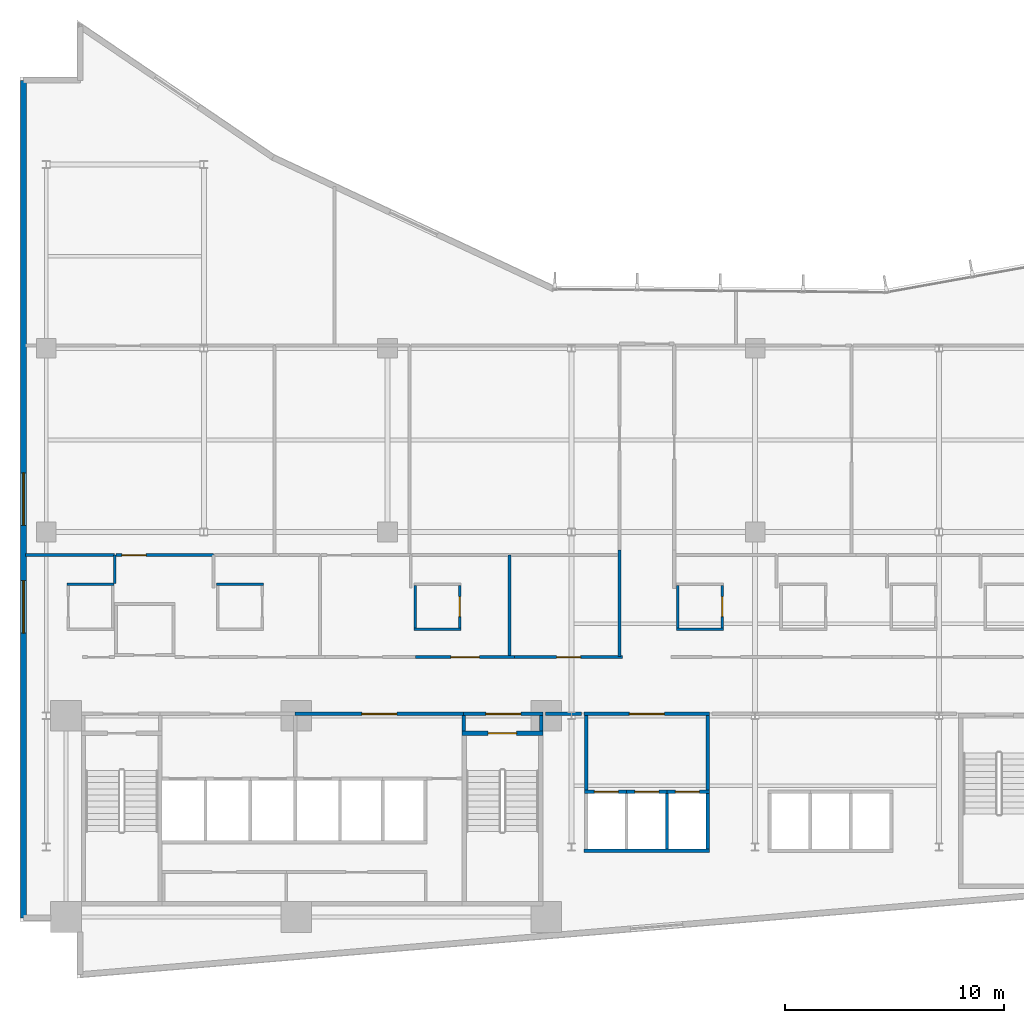
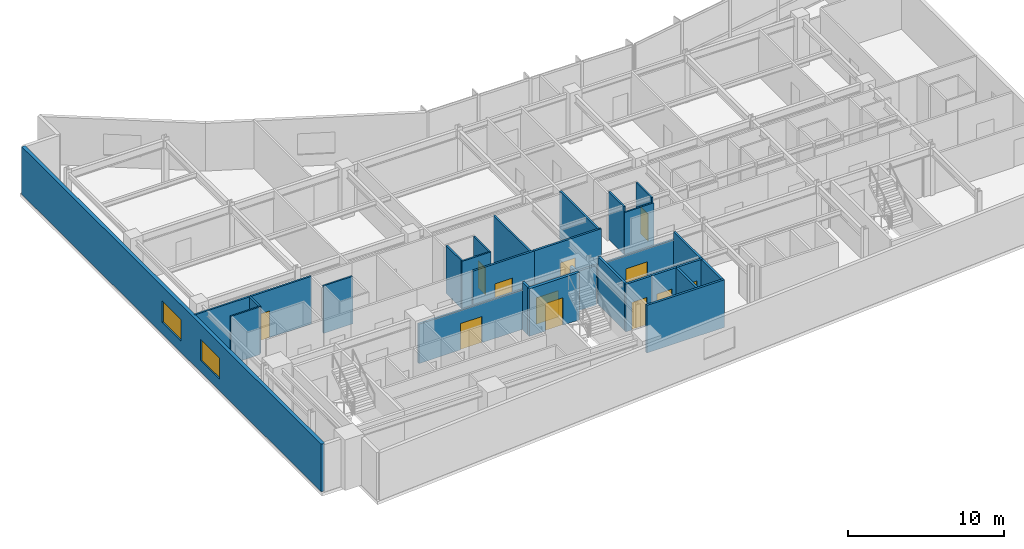
# One storey, part 11 of 19: 31 walls, 12 doors, 2 windows, 14 openings.
"""IFC4 building model written with IfcOpenShell, lengths in metres."""

from ifc_helpers import new_model, si_unit, direction, frame, frame_2d, origin, place, context, subcontext, project, spatial, rectangle, extrude, material, layer, layer_set, type_object, element, fill, save


model = new_model("IFC4")

# Units and contexts
model_context = context("Model", 3, precision=1e-05, world=origin(), true_north=direction((0.0, 1.0)))
body_context = subcontext(model_context, "Body", "Model", "MODEL_VIEW")
ifc_project = project(units=[si_unit("LENGTHUNIT", "METRE"), si_unit("AREAUNIT", "SQUARE_METRE"), si_unit("VOLUMEUNIT", "CUBIC_METRE"), si_unit("PLANEANGLEUNIT", "RADIAN"), si_unit("MASSUNIT", "GRAM", prefix="KILO")], contexts=[model_context])

# Site, building, storey
site_placement = place(None, origin())
site = spatial("IfcSite", under=ifc_project, at=site_placement, CompositionType="ELEMENT")
building_placement = place(site_placement, origin())
building = spatial("IfcBuilding", under=site, at=building_placement, Name="Varnakote Quay Hospital", CompositionType="ELEMENT")
storey_placement = place(building_placement, frame((0.0, 0.0, 50.14990234375)))
storey = spatial("IfcBuildingStorey", under=building, at=storey_placement, Name="L12", CompositionType="ELEMENT", Elevation=50.14990234375)

# Wall, opening, door
ifc_material_1 = material(Name="Fire-rated acoustic gypsum stud wall", Category="gypsum")
ifc_layer_1 = layer(ifc_material_1, 0.159912109375)
ifc_layer_set_1 = layer_set([ifc_layer_1], Name="Fire-rated acoustic gypsum stud wall")
wall_type_1 = type_object("IfcWallType", Name="WL-COMP-160", PredefinedType="PARTITIONING", material=ifc_layer_set_1)
wall_1_placement = place(storey_placement, frame((12.580078125, 12.080078125, 0.0), z_axis=(0.0, 0.0, 1.0), x_axis=(1.0, 0.0, 0.0)))
wall_1 = element("IfcWall", 1, at=wall_1_placement, inside=storey, type_object=wall_type_1, Name="L12 Clinical Bed Lift Lobby Wall", PredefinedType="PARTITIONING", context=body_context, shape_type="SweptSolid", body=[
    extrude(rectangle(XDim=7.699951171875, YDim=0.159912109375, at=frame_2d((3.85009765625, 0.0))), origin(), (0.0, 0.0, 1.0), 3.072998046875),
])
opening_1_placement = place(wall_1_placement, frame((3.050048828125, 0.0, 0.0)))
opening_1 = element("IfcOpeningElement", 2, at=opening_1_placement, cuts=wall_1, Name="Opening D-SVL-L12", PredefinedType="OPENING", context=body_context, shape_type="SweptSolid", body=[
    extrude(rectangle(XDim=1.60009765625, YDim=2.050048828125, at=frame_2d((0.800048828125, 1.02490234375))), frame((0.0, 0.08984375, 0.0), z_axis=(0.0, -1.0, 0.0), x_axis=(1.0, 0.0, 0.0)), (0.0, 0.0, 1.0), 0.179931640625),
])
ifc_material_2 = material(Name="Fire-rated double smoke lobby door")
door_type_1 = type_object("IfcDoorType", Name="DR-LOBBY-FD60S-1600x2150", OperationType="NOTDEFINED", PredefinedType="DOOR", material=ifc_material_2)
door_1_placement = place(opening_1_placement, origin())
door_1 = element("IfcDoor", 3, at=door_1_placement, inside=storey, type_object=door_type_1, Name="L12 Clinical Core Smoke Vestibule Door", OperationType="DOUBLE_DOOR_SINGLE_SWING", OverallHeight=2.050048828125, OverallWidth=1.60009765625, PredefinedType="DOOR", context=body_context, shape_type="SweptSolid", body=[
    extrude(rectangle(XDim=1.60009765625, YDim=2.050048828125, at=frame_2d((0.800048828125, 1.02490234375))), frame((0.0, 0.02490234375, 0.0), z_axis=(0.0, -1.0, 0.0), x_axis=(1.0, 0.0, 0.0)), (0.0, 0.0, 1.0), 0.050048828125),
])
fill(opening_1, door_1)

# Wall
wall_2_placement = place(storey_placement, frame((20.280029296875, 11.300048828125, 0.0), z_axis=(0.0, 0.0, 1.0), x_axis=(0.0, 1.0, 0.0)))
element("IfcWall", 4, at=wall_2_placement, inside=storey, type_object=wall_type_1, Name="L12 East Stair Vestibule Divider Wall", PredefinedType="PARTITIONING", context=body_context, shape_type="SweptSolid", body=[
    extrude(rectangle(XDim=0.699951171875, YDim=0.159912109375, at=frame_2d((0.35009765625, 0.0))), origin(), (0.0, 0.0, 1.0), 3.710205078125),
])

# Wall, opening, door
wall_3_placement = place(storey_placement, frame((20.280029296875, 12.080078125, 0.0), z_axis=(0.0, 0.0, 1.0), x_axis=(1.0, 0.0, 0.0)))
wall_3 = element("IfcWall", 5, at=wall_3_placement, inside=storey, type_object=wall_type_1, Name="L12 East Stair Vestibule Smoke Wall", PredefinedType="PARTITIONING", context=body_context, shape_type="SweptSolid", body=[
    extrude(rectangle(XDim=3.619873046875, YDim=0.159912109375, at=frame_2d((1.81005859375, 0.0))), origin(), (0.0, 0.0, 1.0), 3.072998046875),
])
opening_2_placement = place(wall_3_placement, frame((1.010009765625, 0.0, 0.0)))
opening_2 = element("IfcOpeningElement", 6, at=opening_2_placement, cuts=wall_3, Name="Opening D-ST2L-L12", PredefinedType="OPENING", context=body_context, shape_type="SweptSolid", body=[
    extrude(rectangle(XDim=1.60009765625, YDim=2.050048828125, at=frame_2d((0.800048828125, 1.02490234375))), frame((0.0, 0.08984375, 0.0), z_axis=(0.0, -1.0, 0.0), x_axis=(1.0, 0.0, 0.0)), (0.0, 0.0, 1.0), 0.179931640625),
])
door_2_placement = place(opening_2_placement, origin())
door_2 = element("IfcDoor", 7, at=door_2_placement, inside=storey, type_object=door_type_1, Name="L12 East Stair Vestibule Smoke Door", OperationType="DOUBLE_DOOR_SINGLE_SWING", OverallHeight=2.050048828125, OverallWidth=1.60009765625, PredefinedType="DOOR", context=body_context, shape_type="SweptSolid", body=[
    extrude(rectangle(XDim=1.60009765625, YDim=2.050048828125, at=frame_2d((0.800048828125, 1.02490234375))), frame((0.0, 0.02490234375, 0.0), z_axis=(0.0, -1.0, 0.0), x_axis=(1.0, 0.0, 0.0)), (0.0, 0.0, 1.0), 0.050048828125),
])
fill(opening_2, door_2)

# Walls
wall_4_placement = place(storey_placement, frame((23.820068359375, 11.300048828125, 0.0), z_axis=(0.0, 0.0, 1.0), x_axis=(0.0, 1.0, 0.0)))
element("IfcWall", 8, at=wall_4_placement, inside=storey, type_object=wall_type_1, Name="L12 East Stair Vestibule East Wall", PredefinedType="PARTITIONING", context=body_context, shape_type="SweptSolid", body=[
    extrude(rectangle(XDim=0.699951171875, YDim=0.159912109375, at=frame_2d((0.35009765625, 0.0))), origin(), (0.0, 0.0, 1.0), 3.710205078125),
])
for number, where, z_axis, x_axis, name in (
    (9, (25.8701171875, 8.610107421875, 0.0), (0.0, 0.0, 1.0), (0.0, 1.0, 0.0), "L12 Low-Rise Lift Lobby West Wall"),
    (10, (31.429931640625, 8.610107421875, 0.0), (0.0, 0.0, 1.0), (0.0, 1.0, 0.0), "L12 Low-Rise Lift Lobby East Wall"),
):
    element("IfcWall", number, at=place(storey_placement, frame(where, z_axis=z_axis, x_axis=x_axis)), inside=storey, type_object=wall_type_1, Name=name, PredefinedType="PARTITIONING", context=body_context, shape_type="SweptSolid", body=[
        extrude(rectangle(XDim=3.389892578125, YDim=0.159912109375, at=frame_2d((1.69482421875, 0.0))), origin(), (0.0, 0.0, 1.0), 3.710205078125),
    ])

# Wall, opening, door
wall_5_placement = place(storey_placement, frame((25.7900390625, 12.080078125, 0.0), z_axis=(0.0, 0.0, 1.0), x_axis=(1.0, 0.0, 0.0)))
wall_5 = element("IfcWall", 11, at=wall_5_placement, inside=storey, type_object=wall_type_1, Name="L12 Low-Rise Lift Lobby North Wall", PredefinedType="PARTITIONING", context=body_context, shape_type="SweptSolid", body=[
    extrude(rectangle(XDim=5.719970703125, YDim=0.159912109375, at=frame_2d((2.85986328125, 0.0))), origin(), (0.0, 0.0, 1.0), 3.072998046875),
])
opening_3_placement = place(wall_5_placement, frame((2.06005859375, 0.0, 0.0)))
opening_3 = element("IfcOpeningElement", 12, at=opening_3_placement, cuts=wall_5, Name="Opening D-PLL-L12", PredefinedType="OPENING", context=body_context, shape_type="SweptSolid", body=[
    extrude(rectangle(XDim=1.60009765625, YDim=2.050048828125, at=frame_2d((0.800048828125, 1.02490234375))), frame((0.0, 0.08984375, 0.0), z_axis=(0.0, -1.0, 0.0), x_axis=(1.0, 0.0, 0.0)), (0.0, 0.0, 1.0), 0.179931640625),
])
door_3_placement = place(opening_3_placement, origin())
door_3 = element("IfcDoor", 13, at=door_3_placement, inside=storey, type_object=door_type_1, Name="L12 Low-Rise Passenger Concourse Vestibule Door", OperationType="DOUBLE_DOOR_SINGLE_SWING", OverallHeight=2.050048828125, OverallWidth=1.60009765625, PredefinedType="DOOR", context=body_context, shape_type="SweptSolid", body=[
    extrude(rectangle(XDim=1.60009765625, YDim=2.050048828125, at=frame_2d((0.800048828125, 1.02490234375))), frame((0.0, 0.02490234375, 0.0), z_axis=(0.0, -1.0, 0.0), x_axis=(1.0, 0.0, 0.0)), (0.0, 0.0, 1.0), 0.050048828125),
])
fill(opening_3, door_3)

# Walls
wall_6_placement = place(storey_placement, frame((24.02001953125, 12.080078125, 0.0), z_axis=(0.0, 0.0, 1.0), x_axis=(1.0, 0.0, 0.0)))
element("IfcWall", 14, at=wall_6_placement, inside=storey, type_object=wall_type_1, Name="L12 Corridor South Gap Wall", PredefinedType="PARTITIONING", context=body_context, shape_type="SweptSolid", body=[
    extrude(rectangle(XDim=1.64990234375, YDim=0.159912109375, at=frame_2d((0.824951171875, 0.0))), origin(), (0.0, 0.0, 1.0), 3.072998046875),
])
ifc_material_3 = material(Name="Moisture-resistant bathroom partition", Category="gypsum")
ifc_layer_2 = layer(ifc_material_3, 0.114990234375)
ifc_layer_set_2 = layer_set([ifc_layer_2], Name="Moisture-resistant bathroom partition")
wall_type_2 = type_object("IfcWallType", Name="WL-ENS-115", PredefinedType="PARTITIONING", material=ifc_layer_set_2)
for number, where, z_axis, x_axis, name in (
    (15, (2.155029296875, 18.017578125, 0.0), (0.0, 0.0, 1.0), (1.0, 0.0, 0.0), "L12 Inpatient En-Suite Bathroom 01 N Wall"),
    (16, (8.985107421875, 18.017578125, 0.0), (0.0, 0.0, 1.0), (1.0, 0.0, 0.0), "L12 Inpatient En-Suite Bathroom 02 N Wall"),
):
    element("IfcWall", number, at=place(storey_placement, frame(where, z_axis=z_axis, x_axis=x_axis)), inside=storey, type_object=wall_type_2, Name=name, PredefinedType="PARTITIONING", context=body_context, shape_type="SweptSolid", body=[
        extrude(rectangle(XDim=2.14990234375, YDim=0.114990234375, at=frame_2d((1.074951171875, 0.0))), origin(), (0.0, 0.0, 1.0), 3.710205078125),
    ])
wall_7_placement = place(storey_placement, frame((18.0048828125, 15.952392578125, 0.0), z_axis=(0.0, 0.0, 1.0), x_axis=(1.0, 0.0, 0.0)))
element("IfcWall", 17, at=wall_7_placement, inside=storey, type_object=wall_type_2, Name="L12 Inpatient En-Suite Bathroom 03 S Wall", PredefinedType="PARTITIONING", context=body_context, shape_type="SweptSolid", body=[
    extrude(rectangle(XDim=2.150146484375, YDim=0.114990234375, at=frame_2d((1.0751953125, 0.0))), origin(), (0.0, 0.0, 1.0), 3.710205078125),
])
wall_8_placement = place(storey_placement, frame((18.0625, 16.010009765625, 0.0), z_axis=(0.0, 0.0, 1.0), x_axis=(0.0, 1.0, 0.0)))
element("IfcWall", 18, at=wall_8_placement, inside=storey, type_object=wall_type_2, Name="L12 Inpatient En-Suite Bathroom 03 W Wall", PredefinedType="PARTITIONING", context=body_context, shape_type="SweptSolid", body=[
    extrude(rectangle(XDim=1.949951171875, YDim=0.114990234375, at=frame_2d((0.97509765625, 0.0))), origin(), (0.0, 0.0, 1.0), 3.710205078125),
])

# Wall, opening, door
wall_9_placement = place(storey_placement, frame((20.097412109375, 16.010009765625, 0.0), z_axis=(0.0, 0.0, 1.0), x_axis=(0.0, 1.0, 0.0)))
wall_9 = element("IfcWall", 19, at=wall_9_placement, inside=storey, type_object=wall_type_2, Name="L12 Inpatient En-Suite Bathroom 03 E Wall", PredefinedType="PARTITIONING", context=body_context, shape_type="SweptSolid", body=[
    extrude(rectangle(XDim=1.949951171875, YDim=0.114990234375, at=frame_2d((0.97509765625, 0.0))), origin(), (0.0, 0.0, 1.0), 3.710205078125),
])
opening_4_placement = place(wall_9_placement, frame((0.514892578125, 0.0, 0.0)))
opening_4 = element("IfcOpeningElement", 20, at=opening_4_placement, cuts=wall_9, Name="Opening D-L12-ENS03", PredefinedType="OPENING", context=body_context, shape_type="SweptSolid", body=[
    extrude(rectangle(XDim=0.919921875, YDim=2.10009765625, at=frame_2d((0.4599609375, 1.050048828125))), frame((0.0, 0.0673828125, 0.0), z_axis=(0.0, -1.0, 0.0), x_axis=(1.0, 0.0, 0.0)), (0.0, 0.0, 1.0), 0.135009765625),
])
ifc_material_4 = material(Name="Moisture-sealed en-suite bathroom door")
door_type_2 = type_object("IfcDoorType", Name="DR-ENS-920x2100", OperationType="NOTDEFINED", PredefinedType="DOOR", material=ifc_material_4)
door_4_placement = place(opening_4_placement, origin())
door_4 = element("IfcDoor", 21, at=door_4_placement, inside=storey, type_object=door_type_2, Name="L12 Inpatient En-Suite Bathroom 03 Door", OperationType="SINGLE_SWING_LEFT", OverallHeight=2.10009765625, OverallWidth=0.919921875, PredefinedType="DOOR", context=body_context, shape_type="SweptSolid", body=[
    extrude(rectangle(XDim=0.919921875, YDim=2.10009765625, at=frame_2d((0.4599609375, 1.050048828125))), frame((0.0, 0.02490234375, 0.0), z_axis=(0.0, -1.0, 0.0), x_axis=(1.0, 0.0, 0.0)), (0.0, 0.0, 1.0), 0.050048828125),
])
fill(opening_4, door_4)

# Walls
wall_10_placement = place(storey_placement, frame((30.0048828125, 15.952392578125, 0.0), z_axis=(0.0, 0.0, 1.0), x_axis=(1.0, 0.0, 0.0)))
element("IfcWall", 22, at=wall_10_placement, inside=storey, type_object=wall_type_2, Name="L12 Inpatient En-Suite Bathroom 04 S Wall", PredefinedType="PARTITIONING", context=body_context, shape_type="SweptSolid", body=[
    extrude(rectangle(XDim=2.150146484375, YDim=0.114990234375, at=frame_2d((1.0751953125, 0.0))), origin(), (0.0, 0.0, 1.0), 3.3291015625),
])
wall_11_placement = place(storey_placement, frame((30.0625, 16.010009765625, 0.0), z_axis=(0.0, 0.0, 1.0), x_axis=(0.0, 1.0, 0.0)))
element("IfcWall", 23, at=wall_11_placement, inside=storey, type_object=wall_type_2, Name="L12 Inpatient En-Suite Bathroom 04 W Wall", PredefinedType="PARTITIONING", context=body_context, shape_type="SweptSolid", body=[
    extrude(rectangle(XDim=1.949951171875, YDim=0.114990234375, at=frame_2d((0.97509765625, 0.0))), origin(), (0.0, 0.0, 1.0), 3.710205078125),
])

# Wall, opening, door
wall_12_placement = place(storey_placement, frame((32.097412109375, 16.010009765625, 0.0), z_axis=(0.0, 0.0, 1.0), x_axis=(0.0, 1.0, 0.0)))
wall_12 = element("IfcWall", 24, at=wall_12_placement, inside=storey, type_object=wall_type_2, Name="L12 Inpatient En-Suite Bathroom 04 E Wall", PredefinedType="PARTITIONING", context=body_context, shape_type="SweptSolid", body=[
    extrude(rectangle(XDim=1.949951171875, YDim=0.114990234375, at=frame_2d((0.97509765625, 0.0))), origin(), (0.0, 0.0, 1.0), 3.710205078125),
])
opening_5_placement = place(wall_12_placement, frame((0.514892578125, 0.0, 0.0)))
opening_5 = element("IfcOpeningElement", 25, at=opening_5_placement, cuts=wall_12, Name="Opening D-L12-ENS04", PredefinedType="OPENING", context=body_context, shape_type="SweptSolid", body=[
    extrude(rectangle(XDim=0.919921875, YDim=2.10009765625, at=frame_2d((0.4599609375, 1.050048828125))), frame((0.0, 0.0673828125, 0.0), z_axis=(0.0, -1.0, 0.0), x_axis=(1.0, 0.0, 0.0)), (0.0, 0.0, 1.0), 0.135009765625),
])
door_5_placement = place(opening_5_placement, origin())
door_5 = element("IfcDoor", 26, at=door_5_placement, inside=storey, type_object=door_type_2, Name="L12 Inpatient En-Suite Bathroom 04 Door", OperationType="SINGLE_SWING_RIGHT", OverallHeight=2.10009765625, OverallWidth=0.919921875, PredefinedType="DOOR", context=body_context, shape_type="SweptSolid", body=[
    extrude(rectangle(XDim=0.919921875, YDim=2.10009765625, at=frame_2d((0.4599609375, 1.050048828125))), frame((0.0, 0.02490234375, 0.0), z_axis=(0.0, -1.0, 0.0), x_axis=(1.0, 0.0, 0.0)), (0.0, 0.0, 1.0), 0.050048828125),
])
fill(opening_5, door_5)

# Wall, openings, windows
ifc_material_5 = material(Name="Precast concrete N50 (f'c 50 MPa)", Category="concrete")
ifc_layer_3 = layer(ifc_material_5, 0.260009765625)
ifc_layer_set_3 = layer_set([ifc_layer_3], Name="Precast concrete N50 (f'c 50 MPa)")
wall_type_3 = type_object("IfcWallType", Name="WL-EXT-BRICK-260", PredefinedType="STANDARD", material=ifc_layer_set_3)
wall_13_placement = place(storey_placement, frame((0.159912109375, 41.0400390625, 0.0), z_axis=(0.0, 0.0, 1.0), x_axis=(0.0, -1.0, 0.0)))
wall_13 = element("IfcWall", 27, at=wall_13_placement, inside=storey, type_object=wall_type_3, Name="L12 Brick-Faced Precast Exterior Wall", PredefinedType="STANDARD", context=body_context, shape_type="SweptSolid", body=[
    extrude(rectangle(XDim=38.280029296875, YDim=0.260009765625, at=frame_2d((19.14013671875, 0.0))), origin(), (0.0, 0.0, 1.0), 3.710205078125),
])
opening_6_placement = place(wall_13_placement, frame((17.93994140625, 0.0, 0.89990234375)))
opening_6 = element("IfcOpeningElement", 28, at=opening_6_placement, cuts=wall_13, Name="Opening WN-0065", PredefinedType="OPENING", context=body_context, shape_type="SweptSolid", body=[
    extrude(rectangle(XDim=2.39990234375, YDim=1.64990234375, at=frame_2d((1.199951171875, 0.824951171875))), frame((0.0, 0.139892578125, 0.0), z_axis=(0.0, -1.0, 0.0), x_axis=(1.0, 0.0, 0.0)), (0.0, 0.0, 1.0), 0.280029296875),
])
opening_7_placement = place(wall_13_placement, frame((22.868896484375, 0.0, 0.89990234375)))
opening_7 = element("IfcOpeningElement", 29, at=opening_7_placement, cuts=wall_13, Name="Opening WN-0306", PredefinedType="OPENING", context=body_context, shape_type="SweptSolid", body=[
    extrude(rectangle(XDim=2.39990234375, YDim=1.64990234375, at=frame_2d((1.199951171875, 0.824951171875))), frame((0.0, 0.139892578125, 0.0), z_axis=(0.0, -1.0, 0.0), x_axis=(1.0, 0.0, 0.0)), (0.0, 0.0, 1.0), 0.280029296875),
])
ifc_material_6 = material(Name="Double-glazed low-E solar glass", Category="glass")
window_type = type_object("IfcWindowType", Name="WIN-CLIN-2400x1650", PartitioningType="SINGLE_PANEL", PredefinedType="WINDOW", material=ifc_material_6)
window_1_placement = place(opening_6_placement, origin())
window_1 = element("IfcWindow", 30, at=window_1_placement, inside=storey, type_object=window_type, Name="L12 Solar-Control Clinical Window", OverallHeight=1.64990234375, OverallWidth=2.39990234375, PartitioningType="SINGLE_PANEL", PredefinedType="WINDOW", context=body_context, shape_type="SweptSolid", body=[
    extrude(rectangle(XDim=2.39990234375, YDim=1.64990234375, at=frame_2d((1.199951171875, 0.824951171875))), frame((0.0, 0.030029296875, 0.0), z_axis=(0.0, -1.0, 0.0), x_axis=(1.0, 0.0, 0.0)), (0.0, 0.0, 1.0), 0.06005859375),
])
fill(opening_6, window_1)
window_2_placement = place(opening_7_placement, origin())
window_2 = element("IfcWindow", 31, at=window_2_placement, inside=storey, type_object=window_type, Name="L12 Solar-Control Clinical Window", OverallHeight=1.64990234375, OverallWidth=2.39990234375, PartitioningType="SINGLE_PANEL", PredefinedType="WINDOW", context=body_context, shape_type="SweptSolid", body=[
    extrude(rectangle(XDim=2.39990234375, YDim=1.64990234375, at=frame_2d((1.199951171875, 0.824951171875))), frame((0.0, 0.030029296875, 0.0), z_axis=(0.0, -1.0, 0.0), x_axis=(1.0, 0.0, 0.0)), (0.0, 0.0, 1.0), 0.06005859375),
])
fill(opening_7, window_2)

# Walls
ifc_material_7 = material(Name="Concrete N50 (f'c 50 MPa)", Category="concrete")
ifc_layer_4 = layer(ifc_material_7, 0.14990234375)
ifc_layer_set_4 = layer_set([ifc_layer_4], Name="Concrete N50 (f'c 50 MPa)")
wall_type_4 = type_object("IfcWallType", Name="WL-SHAFT-N50-150", PredefinedType="SHEAR", material=ifc_layer_set_4)
wall_14_placement = place(storey_placement, frame((29.574951171875, 5.89990234375, 0.0), z_axis=(0.0, 0.0, 1.0), x_axis=(0.0, 1.0, 0.0)))
element("IfcWall", 32, at=wall_14_placement, inside=storey, type_object=wall_type_4, Name="L12 LF-PL2 Hoistway Divider Wall", PredefinedType="SHEAR", context=body_context, shape_type="SweptSolid", body=[
    extrude(rectangle(XDim=2.550048828125, YDim=0.14990234375, at=frame_2d((1.27490234375, 0.0))), origin(), (0.0, 0.0, 1.0), 3.710205078125),
])
ifc_material_8 = material(Name="Concrete N50 (f'c 50 MPa)", Category="concrete")
ifc_layer_5 = layer(ifc_material_8, 0.159912109375)
ifc_layer_set_5 = layer_set([ifc_layer_5], Name="Concrete N50 (f'c 50 MPa)")
wall_type_5 = type_object("IfcWallType", Name="WL-SHAFT-N50-160", PredefinedType="SHEAR", material=ifc_layer_set_5)
wall_15_placement = place(storey_placement, frame((25.7900390625, 5.820068359375, 0.0), z_axis=(0.0, 0.0, 1.0), x_axis=(1.0, 0.0, 0.0)))
element("IfcWall", 33, at=wall_15_placement, inside=storey, type_object=wall_type_5, Name="L12 LOW Lift Bank Back Shear Wall", PredefinedType="SHEAR", context=body_context, shape_type="SweptSolid", body=[
    extrude(rectangle(XDim=5.719970703125, YDim=0.159912109375, at=frame_2d((2.85986328125, 0.0))), origin(), (0.0, 0.0, 1.0), 3.710205078125),
])
wall_16_placement = place(storey_placement, frame((31.429931640625, 5.89990234375, 0.0), z_axis=(0.0, 0.0, 1.0), x_axis=(0.0, 1.0, 0.0)))
element("IfcWall", 34, at=wall_16_placement, inside=storey, type_object=wall_type_5, Name="L12 LOW Lift Bank East Shear Wall", PredefinedType="SHEAR", context=body_context, shape_type="SweptSolid", body=[
    extrude(rectangle(XDim=2.550048828125, YDim=0.159912109375, at=frame_2d((1.27490234375, 0.0))), origin(), (0.0, 0.0, 1.0), 3.710205078125),
])

# Wall, opening, door
wall_17_placement = place(storey_placement, frame((25.7900390625, 8.530029296875, 0.0), z_axis=(0.0, 0.0, 1.0), x_axis=(1.0, 0.0, 0.0)))
wall_17 = element("IfcWall", 35, at=wall_17_placement, inside=storey, type_object=wall_type_5, Name="L12 LF-PL1 Hoistway Front Wall", PredefinedType="SHEAR", context=body_context, shape_type="SweptSolid", body=[
    extrude(rectangle(XDim=1.93505859375, YDim=0.159912109375, at=frame_2d((0.967529296875, 0.0))), origin(), (0.0, 0.0, 1.0), 3.710205078125),
])
opening_8_placement = place(wall_17_placement, frame((0.4599609375, 0.0, 0.0)))
opening_8 = element("IfcOpeningElement", 36, at=opening_8_placement, cuts=wall_17, Name="Opening LD-PL1-L12", PredefinedType="OPENING", context=body_context, shape_type="SweptSolid", body=[
    extrude(rectangle(XDim=1.10009765625, YDim=2.14990234375, at=frame_2d((0.550048828125, 1.074951171875))), frame((0.0, 0.08984375, 0.0), z_axis=(0.0, -1.0, 0.0), x_axis=(1.0, 0.0, 0.0)), (0.0, 0.0, 1.0), 0.179931640625),
])
ifc_material_9 = material(Name="Brushed bronze lift landing sliding door")
door_type_3 = type_object("IfcDoorType", Name="DR-LIFT-LD-1100x2150", OperationType="NOTDEFINED", PredefinedType="DOOR", material=ifc_material_9)
door_6_placement = place(opening_8_placement, origin())
door_6 = element("IfcDoor", 37, at=door_6_placement, inside=storey, type_object=door_type_3, Name="L12 LF-PL1 Lift Landing Sliding Door", OperationType="SLIDING_TO_LEFT", OverallHeight=2.14990234375, OverallWidth=1.10009765625, PredefinedType="DOOR", context=body_context, shape_type="SweptSolid", body=[
    extrude(rectangle(XDim=1.10009765625, YDim=2.14990234375, at=frame_2d((0.550048828125, 1.074951171875))), frame((0.0, 0.02490234375, 0.0), z_axis=(0.0, -1.0, 0.0), x_axis=(1.0, 0.0, 0.0)), (0.0, 0.0, 1.0), 0.050048828125),
])
fill(opening_8, door_6)

wall_18_placement = place(storey_placement, frame((27.72509765625, 8.530029296875, 0.0), z_axis=(0.0, 0.0, 1.0), x_axis=(1.0, 0.0, 0.0)))
wall_18 = element("IfcWall", 38, at=wall_18_placement, inside=storey, type_object=wall_type_5, Name="L12 LF-PL2 Hoistway Front Wall", PredefinedType="SHEAR", context=body_context, shape_type="SweptSolid", body=[
    extrude(rectangle(XDim=1.849853515625, YDim=0.159912109375, at=frame_2d((0.9248046875, 0.0))), origin(), (0.0, 0.0, 1.0), 3.710205078125),
])
opening_9_placement = place(wall_18_placement, frame((0.375, 0.0, 0.0)))
opening_9 = element("IfcOpeningElement", 39, at=opening_9_placement, cuts=wall_18, Name="Opening LD-PL2-L12", PredefinedType="OPENING", context=body_context, shape_type="SweptSolid", body=[
    extrude(rectangle(XDim=1.10009765625, YDim=2.14990234375, at=frame_2d((0.550048828125, 1.074951171875))), frame((0.0, 0.08984375, 0.0), z_axis=(0.0, -1.0, 0.0), x_axis=(1.0, 0.0, 0.0)), (0.0, 0.0, 1.0), 0.179931640625),
])
door_7_placement = place(opening_9_placement, origin())
door_7 = element("IfcDoor", 40, at=door_7_placement, inside=storey, type_object=door_type_3, Name="L12 LF-PL2 Lift Landing Sliding Door", OperationType="SLIDING_TO_LEFT", OverallHeight=2.14990234375, OverallWidth=1.10009765625, PredefinedType="DOOR", context=body_context, shape_type="SweptSolid", body=[
    extrude(rectangle(XDim=1.10009765625, YDim=2.14990234375, at=frame_2d((0.550048828125, 1.074951171875))), frame((0.0, 0.02490234375, 0.0), z_axis=(0.0, -1.0, 0.0), x_axis=(1.0, 0.0, 0.0)), (0.0, 0.0, 1.0), 0.050048828125),
])
fill(opening_9, door_7)

wall_19_placement = place(storey_placement, frame((29.574951171875, 8.530029296875, 0.0), z_axis=(0.0, 0.0, 1.0), x_axis=(1.0, 0.0, 0.0)))
wall_19 = element("IfcWall", 41, at=wall_19_placement, inside=storey, type_object=wall_type_5, Name="L12 LF-PL3 Hoistway Front Wall", PredefinedType="SHEAR", context=body_context, shape_type="SweptSolid", body=[
    extrude(rectangle(XDim=1.93505859375, YDim=0.159912109375, at=frame_2d((0.967529296875, 0.0))), origin(), (0.0, 0.0, 1.0), 3.710205078125),
])
opening_10_placement = place(wall_19_placement, frame((0.375, 0.0, 0.0)))
opening_10 = element("IfcOpeningElement", 42, at=opening_10_placement, cuts=wall_19, Name="Opening LD-PL3-L12", PredefinedType="OPENING", context=body_context, shape_type="SweptSolid", body=[
    extrude(rectangle(XDim=1.10009765625, YDim=2.14990234375, at=frame_2d((0.550048828125, 1.074951171875))), frame((0.0, 0.08984375, 0.0), z_axis=(0.0, -1.0, 0.0), x_axis=(1.0, 0.0, 0.0)), (0.0, 0.0, 1.0), 0.179931640625),
])
door_8_placement = place(opening_10_placement, origin())
door_8 = element("IfcDoor", 43, at=door_8_placement, inside=storey, type_object=door_type_3, Name="L12 LF-PL3 Lift Landing Sliding Door", OperationType="SLIDING_TO_LEFT", OverallHeight=2.14990234375, OverallWidth=1.10009765625, PredefinedType="DOOR", context=body_context, shape_type="SweptSolid", body=[
    extrude(rectangle(XDim=1.10009765625, YDim=2.14990234375, at=frame_2d((0.550048828125, 1.074951171875))), frame((0.0, 0.02490234375, 0.0), z_axis=(0.0, -1.0, 0.0), x_axis=(1.0, 0.0, 0.0)), (0.0, 0.0, 1.0), 0.050048828125),
])
fill(opening_10, door_8)

ifc_material_10 = material(Name="Concrete N50 (f'c 50 MPa)", Category="concrete")
ifc_layer_6 = layer(ifc_material_10, 0.199951171875)
ifc_layer_set_6 = layer_set([ifc_layer_6], Name="Concrete N50 (f'c 50 MPa)")
wall_type_6 = type_object("IfcWallType", Name="WL-SHAFT-N50-200", PredefinedType="SHEAR", material=ifc_layer_set_6)
wall_20_placement = place(storey_placement, frame((20.199951171875, 11.199951171875, 0.0), z_axis=(0.0, 0.0, 1.0), x_axis=(1.0, 0.0, 0.0)))
wall_20 = element("IfcWall", 44, at=wall_20_placement, inside=storey, type_object=wall_type_6, Name="L12 Stair ST2 Exit Wall", PredefinedType="SHEAR", context=body_context, shape_type="SweptSolid", body=[
    extrude(rectangle(XDim=3.699951171875, YDim=0.199951171875, at=frame_2d((1.85009765625, 0.0))), origin(), (0.0, 0.0, 1.0), 3.710205078125),
])
opening_11_placement = place(wall_20_placement, frame((1.199951171875, 0.0, 0.0)))
opening_11 = element("IfcOpeningElement", 45, at=opening_11_placement, cuts=wall_20, Name="Opening D-ST2-L12", PredefinedType="OPENING", context=body_context, shape_type="SweptSolid", body=[
    extrude(rectangle(XDim=1.300048828125, YDim=2.14990234375, at=frame_2d((0.64990234375, 1.074951171875))), frame((0.0, 0.10986328125, 0.0), z_axis=(0.0, -1.0, 0.0), x_axis=(1.0, 0.0, 0.0)), (0.0, 0.0, 1.0), 0.219970703125),
])
ifc_material_11 = material(Name="Fire-rated ceramic-glazed timber exit door", Category="wood")
door_type_4 = type_object("IfcDoorType", Name="DR-STAIR-FD60S-1300x2150", OperationType="NOTDEFINED", PredefinedType="DOOR", material=ifc_material_11)
door_9_placement = place(opening_11_placement, origin())
door_9 = element("IfcDoor", 46, at=door_9_placement, inside=storey, type_object=door_type_4, Name="L12 Stair ST2 Fire Exit Door", OperationType="SINGLE_SWING_LEFT", OverallHeight=2.14990234375, OverallWidth=1.300048828125, PredefinedType="DOOR", context=body_context, shape_type="SweptSolid", body=[
    extrude(rectangle(XDim=1.300048828125, YDim=2.14990234375, at=frame_2d((0.64990234375, 1.074951171875))), frame((0.0, 0.02490234375, 0.0), z_axis=(0.0, -1.0, 0.0), x_axis=(1.0, 0.0, 0.0)), (0.0, 0.0, 1.0), 0.050048828125),
])
fill(opening_11, door_9)

# Walls
ifc_material_12 = material(Name="Smoke-proof clinical partition", Category="gypsum")
ifc_layer_7 = layer(ifc_material_12, 0.135009765625)
ifc_layer_set_7 = layer_set([ifc_layer_7], Name="Smoke-proof clinical partition")
wall_type_7 = type_object("IfcWallType", Name="WL-SMOKE-135", PredefinedType="PARTITIONING", material=ifc_layer_set_7)
wall_21_placement = place(storey_placement, frame((4.330078125, 18.0400390625, 0.0), z_axis=(0.0, 0.0, 1.0), x_axis=(0.0, 1.0, 0.0)))
element("IfcWall", 47, at=wall_21_placement, inside=storey, type_object=wall_type_7, Name="L12 Clinical Interior Partition", PredefinedType="PARTITIONING", context=body_context, shape_type="SweptSolid", body=[
    extrude(rectangle(XDim=1.300048828125, YDim=0.135009765625, at=frame_2d((0.64990234375, 0.0))), origin(), (0.0, 0.0, 1.0), 3.710205078125),
])
wall_22_placement = place(storey_placement, frame((4.330078125, 19.340087890625, 0.0), z_axis=(0.0, 0.0, 1.0), x_axis=(-1.0, 0.0, 0.0)))
element("IfcWall", 48, at=wall_22_placement, inside=storey, type_object=wall_type_7, Name="L12 Clinical Interior Partition", PredefinedType="PARTITIONING", context=body_context, shape_type="SweptSolid", body=[
    extrude(rectangle(XDim=4.090087890625, YDim=0.135009765625, at=frame_2d((2.044921875, 0.0))), origin(), (0.0, 0.0, 1.0), 3.710205078125),
])

# Wall, opening, door
wall_23_placement = place(storey_placement, frame((8.840087890625, 19.340087890625, 0.0), z_axis=(0.0, 0.0, 1.0), x_axis=(-1.0, 0.0, 0.0)))
wall_23 = element("IfcWall", 49, at=wall_23_placement, inside=storey, type_object=wall_type_7, Name="L12 Clinical Interior Partition", PredefinedType="PARTITIONING", context=body_context, shape_type="SweptSolid", body=[
    extrude(rectangle(XDim=4.45263671875, YDim=0.135009765625, at=frame_2d((2.226318359375, 0.0))), origin(), (0.0, 0.0, 1.0), 3.710205078125),
])
opening_12_placement = place(wall_23_placement, frame((3.07861328125, 0.0, 0.0)))
opening_12 = element("IfcOpeningElement", 50, at=opening_12_placement, cuts=wall_23, Name="Opening D-L12-MD04", PredefinedType="OPENING", context=body_context, shape_type="SweptSolid", body=[
    extrude(rectangle(XDim=1.10009765625, YDim=2.10009765625, at=frame_2d((0.550048828125, 1.050048828125))), frame((0.0, 0.077392578125, 0.0), z_axis=(0.0, -1.0, 0.0), x_axis=(1.0, 0.0, 0.0)), (0.0, 0.0, 1.0), 0.155029296875),
])
ifc_material_13 = material(Name="Acoustic timber clinical consult door", Category="wood")
door_type_5 = type_object("IfcDoorType", Name="DR-CLIN-FD30S-1100x2100", OperationType="NOTDEFINED", PredefinedType="DOOR", material=ifc_material_13)
door_10_placement = place(opening_12_placement, origin())
door_10 = element("IfcDoor", 51, at=door_10_placement, inside=storey, type_object=door_type_5, Name="L12 Clinical Education Teaching Room Door", OperationType="SINGLE_SWING_RIGHT", OverallHeight=2.10009765625, OverallWidth=1.10009765625, PredefinedType="DOOR", context=body_context, shape_type="SweptSolid", body=[
    extrude(rectangle(XDim=1.10009765625, YDim=2.10009765625, at=frame_2d((0.550048828125, 1.050048828125))), frame((0.0, 0.02490234375, 0.0), z_axis=(0.0, -1.0, 0.0), x_axis=(1.0, 0.0, 0.0)), (0.0, 0.0, 1.0), 0.050048828125),
])
fill(opening_12, door_10)

# Wall
wall_24_placement = place(storey_placement, frame((22.3701171875, 14.760009765625, 0.0), z_axis=(0.0, 0.0, 1.0), x_axis=(0.0, 1.0, 0.0)))
element("IfcWall", 52, at=wall_24_placement, inside=storey, type_object=wall_type_7, Name="L12 Clinical Interior Partition", PredefinedType="PARTITIONING", context=body_context, shape_type="SweptSolid", body=[
    extrude(rectangle(XDim=4.580078125, YDim=0.135009765625, at=frame_2d((2.2900390625, 0.0))), origin(), (0.0, 0.0, 1.0), 3.710205078125),
])

# Wall, opening, door
ifc_material_14 = material(Name="Fire-rated clinical gypsum partition", Category="gypsum")
ifc_layer_8 = layer(ifc_material_14, 0.14990234375)
ifc_layer_set_8 = layer_set([ifc_layer_8], Name="Fire-rated clinical gypsum partition")
wall_type_8 = type_object("IfcWallType", Name="WL-WARD-150", PredefinedType="PARTITIONING", material=ifc_layer_set_8)
wall_25_placement = place(storey_placement, frame((22.595947265625, 14.679931640625, 0.0), z_axis=(0.0, 0.0, 1.0), x_axis=(-1.0, 0.0, 0.0)))
wall_25 = element("IfcWall", 53, at=wall_25_placement, inside=storey, type_object=wall_type_8, Name="L12 Clinical Interior Partition", PredefinedType="PARTITIONING", context=body_context, shape_type="SweptSolid", body=[
    extrude(rectangle(XDim=4.508056640625, YDim=0.14990234375, at=frame_2d((2.25390625, 0.0))), origin(), (0.0, 0.0, 1.0), 3.710205078125),
])
opening_13_placement = place(wall_25_placement, frame((1.60400390625, 0.0, 0.0)))
opening_13 = element("IfcOpeningElement", 54, at=opening_13_placement, cuts=wall_25, Name="Opening D-L12-BR03", PredefinedType="OPENING", context=body_context, shape_type="SweptSolid", body=[
    extrude(rectangle(XDim=1.300048828125, YDim=2.14990234375, at=frame_2d((0.64990234375, 1.074951171875))), frame((0.0, 0.0849609375, 0.0), z_axis=(0.0, -1.0, 0.0), x_axis=(1.0, 0.0, 0.0)), (0.0, 0.0, 1.0), 0.169921875),
])
ifc_material_15 = material(Name="Solid-core timber clinical bed door", Category="wood")
door_type_6 = type_object("IfcDoorType", Name="DR-WARD-FD30S-1300x2150", OperationType="NOTDEFINED", PredefinedType="DOOR", material=ifc_material_15)
door_11_placement = place(opening_13_placement, origin())
door_11 = element("IfcDoor", 55, at=door_11_placement, inside=storey, type_object=door_type_6, Name="L12 Resident Care Bedroom 03 Door", OperationType="SINGLE_SWING_LEFT", OverallHeight=2.14990234375, OverallWidth=1.300048828125, PredefinedType="DOOR", context=body_context, shape_type="SweptSolid", body=[
    extrude(rectangle(XDim=1.300048828125, YDim=2.14990234375, at=frame_2d((0.64990234375, 1.074951171875))), frame((0.0, 0.02490234375, 0.0), z_axis=(0.0, -1.0, 0.0), x_axis=(1.0, 0.0, 0.0)), (0.0, 0.0, 1.0), 0.050048828125),
])
fill(opening_13, door_11)

wall_26_placement = place(storey_placement, frame((27.5458984375, 14.679931640625, 0.0), z_axis=(0.0, 0.0, 1.0), x_axis=(-1.0, 0.0, 0.0)))
wall_26 = element("IfcWall", 56, at=wall_26_placement, inside=storey, type_object=wall_type_8, Name="L12 Clinical Interior Partition", PredefinedType="PARTITIONING", context=body_context, shape_type="SweptSolid", body=[
    extrude(rectangle(XDim=4.947998046875, YDim=0.14990234375, at=frame_2d((2.47412109375, 0.0))), origin(), (0.0, 0.0, 1.0), 3.710205078125),
])
opening_14_placement = place(wall_26_placement, frame((1.924072265625, 0.0, 0.0)))
opening_14 = element("IfcOpeningElement", 57, at=opening_14_placement, cuts=wall_26, Name="Opening D-L12-MD03", PredefinedType="OPENING", context=body_context, shape_type="SweptSolid", body=[
    extrude(rectangle(XDim=1.10009765625, YDim=2.10009765625, at=frame_2d((0.550048828125, 1.050048828125))), frame((0.0, 0.0849609375, 0.0), z_axis=(0.0, -1.0, 0.0), x_axis=(1.0, 0.0, 0.0)), (0.0, 0.0, 1.0), 0.169921875),
])
door_12_placement = place(opening_14_placement, origin())
door_12 = element("IfcDoor", 58, at=door_12_placement, inside=storey, type_object=door_type_5, Name="L12 Acute Telemetry Treatment Suite Door", OperationType="SINGLE_SWING_RIGHT", OverallHeight=2.10009765625, OverallWidth=1.10009765625, PredefinedType="DOOR", context=body_context, shape_type="SweptSolid", body=[
    extrude(rectangle(XDim=1.10009765625, YDim=2.10009765625, at=frame_2d((0.550048828125, 1.050048828125))), frame((0.0, 0.02490234375, 0.0), z_axis=(0.0, -1.0, 0.0), x_axis=(1.0, 0.0, 0.0)), (0.0, 0.0, 1.0), 0.050048828125),
])
fill(opening_14, door_12)

# Wall
wall_27_placement = place(storey_placement, frame((27.39990234375, 19.56591796875, 0.0), z_axis=(0.0, 0.0, 1.0), x_axis=(0.0, -1.0, 0.0)))
element("IfcWall", 59, at=wall_27_placement, inside=storey, type_object=wall_type_8, Name="L12 Clinical Interior Partition", PredefinedType="PARTITIONING", context=body_context, shape_type="SweptSolid", body=[
    extrude(rectangle(XDim=4.865966796875, YDim=0.14990234375, at=frame_2d((2.43310546875, 0.0))), origin(), (0.0, 0.0, 1.0), 3.710205078125),
])

save(model, "model.ifc")
